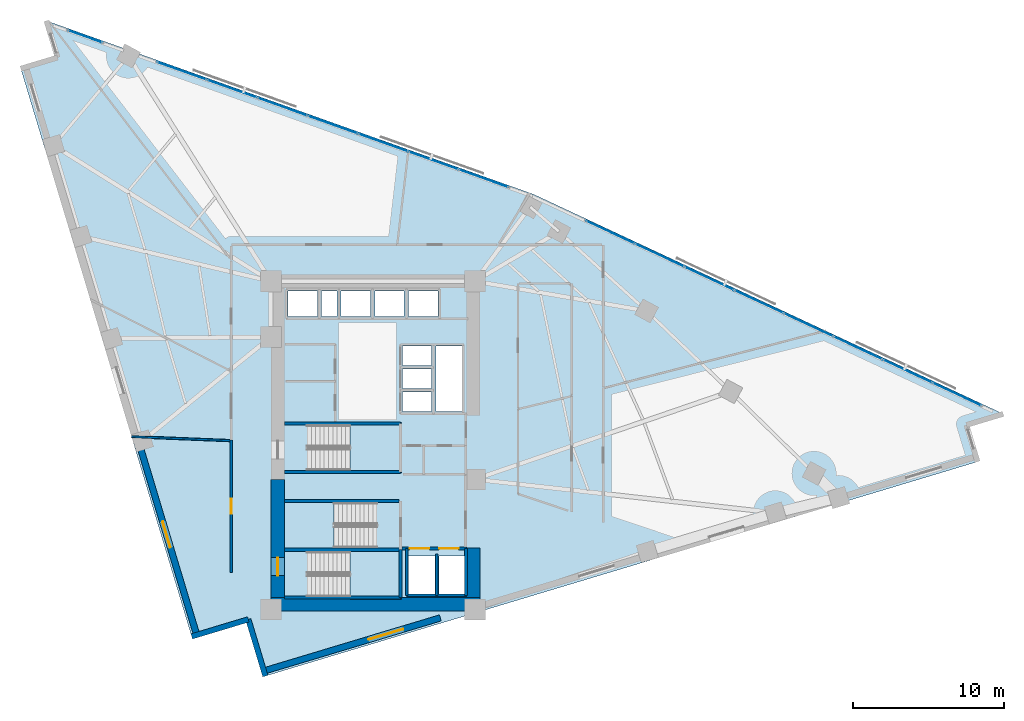
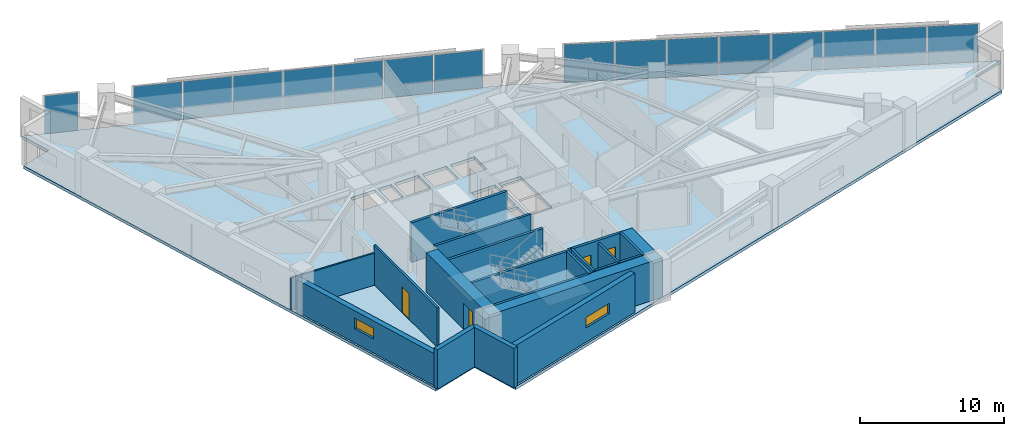
# One storey, part 9 of 16: 20 walls, 16 plates, 4 doors, 4 slabs, 2 windows, 6 openings, 6 elements without a shape of their own.
"""IFC4 building model written with IfcOpenShell, lengths in metres."""

from ifc_helpers import new_model, si_unit, direction, frame, frame_2d, origin, origin_2d, place, context, subcontext, project, spatial, polyline, rectangle, outline, extrude, material, layer, layer_set, type_object, element, fill, aggregate, save


model = new_model("IFC4")

# Units and contexts
model_context = context("Model", 3, precision=1e-05, world=origin(), true_north=direction((0.0, 1.0)))
body_context = subcontext(model_context, "Body", "Model", "MODEL_VIEW")
ifc_project = project(units=[si_unit("LENGTHUNIT", "METRE"), si_unit("AREAUNIT", "SQUARE_METRE"), si_unit("VOLUMEUNIT", "CUBIC_METRE"), si_unit("PLANEANGLEUNIT", "RADIAN"), si_unit("MASSUNIT", "GRAM", prefix="KILO")], contexts=[model_context])

# Site, building, storey
site_placement = place(None, origin())
site = spatial("IfcSite", under=ifc_project, at=site_placement, CompositionType="ELEMENT")
building_placement = place(site_placement, origin())
building = spatial("IfcBuilding", under=site, at=building_placement, Name="Narakoshi Arena Tower", CompositionType="ELEMENT")
storey_placement = place(building_placement, frame((0.0, 0.0, 150.300048828125)))
storey = spatial("IfcBuildingStorey", under=building, at=storey_placement, Name="L40", CompositionType="ELEMENT", Elevation=150.300048828125)

# Curtain wall, plates
ifc_material_1 = material(Name="Anodised bronze aluminium 6063-T6", Category="aluminium")
curtain_wall_type = type_object("IfcCurtainWallType", Name="CW-HYP-MID", PredefinedType="NOTDEFINED", material=ifc_material_1)
curtain_wall_1_placement = place(storey_placement, origin())
curtain_wall_1 = element("IfcCurtainWall", 1, at=curtain_wall_1_placement, inside=storey, type_object=curtain_wall_type, Name="L40 Folded Hypotenuse Curtain Wall 1-1", PredefinedType="NOTDEFINED")
ifc_material_2 = material(Name="Bronze-tinted low-E laminated glass", Category="glass")
ifc_layer_1 = layer(ifc_material_2, 0.0380859375)
ifc_layer_set_1 = layer_set([ifc_layer_1], Name="Bronze-tinted low-E laminated glass")
plate_type = type_object("IfcPlateType", Name="PLT-GLZ-38", PredefinedType="CURTAIN_PANEL", material=ifc_layer_set_1)
plate_1_placement = place(storey_placement, frame((117.545166015625, 49.0, 0.06494140625), z_axis=(0.0, 0.0, 1.0), x_axis=(-0.905881273009, 0.423531721612, 0.0)))
plate_1 = element("IfcPlate", 2, at=plate_1_placement, type_object=plate_type, Name="CW-02 panel 1.1", PredefinedType="CURTAIN_PANEL", context=body_context, shape_type="SweptSolid", body=[
    extrude(rectangle(XDim=3.52099609375, YDim=0.0380859375, at=origin_2d()), origin(), (0.0, 0.0, 1.0), 3.2099609375),
])
plate_2_placement = place(storey_placement, frame((114.270751953125, 50.531005859375, 0.06494140625), z_axis=(0.0, 0.0, 1.0), x_axis=(-0.905881273009, 0.423531721612, 0.0)))
plate_2 = element("IfcPlate", 3, at=plate_2_placement, type_object=plate_type, Name="CW-02 panel 2.1", PredefinedType="CURTAIN_PANEL", context=body_context, shape_type="SweptSolid", body=[
    extrude(rectangle(XDim=3.558349609375, YDim=0.0380859375, at=origin_2d()), origin(), (0.0, 0.0, 1.0), 3.2099609375),
])
plate_3_placement = place(storey_placement, frame((110.979248046875, 52.06982421875, 0.06494140625), z_axis=(0.0, 0.0, 1.0), x_axis=(-0.905881273009, 0.423531721612, 0.0)))
plate_3 = element("IfcPlate", 4, at=plate_3_placement, type_object=plate_type, Name="CW-02 panel 3.1", PredefinedType="CURTAIN_PANEL", context=body_context, shape_type="SweptSolid", body=[
    extrude(rectangle(XDim=3.558349609375, YDim=0.0380859375, at=origin_2d()), origin(), (0.0, 0.0, 1.0), 3.2099609375),
])
plate_4_placement = place(storey_placement, frame((107.687744140625, 53.60888671875, 0.06494140625), z_axis=(0.0, 0.0, 1.0), x_axis=(-0.905881273009, 0.423531721612, 0.0)))
plate_4 = element("IfcPlate", 5, at=plate_4_placement, type_object=plate_type, Name="CW-02 panel 4.1", PredefinedType="CURTAIN_PANEL", context=body_context, shape_type="SweptSolid", body=[
    extrude(rectangle(XDim=3.558349609375, YDim=0.0380859375, at=origin_2d()), origin(), (0.0, 0.0, 1.0), 3.2099609375),
])
plate_5_placement = place(storey_placement, frame((104.396240234375, 55.147705078125, 0.06494140625), z_axis=(0.0, 0.0, 1.0), x_axis=(-0.905881273009, 0.423531721612, 0.0)))
plate_5 = element("IfcPlate", 6, at=plate_5_placement, type_object=plate_type, Name="CW-02 panel 5.1", PredefinedType="CURTAIN_PANEL", context=body_context, shape_type="SweptSolid", body=[
    extrude(rectangle(XDim=3.558349609375, YDim=0.0380859375, at=origin_2d()), origin(), (0.0, 0.0, 1.0), 3.2099609375),
])
plate_6_placement = place(storey_placement, frame((101.104736328125, 56.6865234375, 0.06494140625), z_axis=(0.0, 0.0, 1.0), x_axis=(-0.905881273009, 0.423531721612, 0.0)))
plate_6 = element("IfcPlate", 7, at=plate_6_placement, type_object=plate_type, Name="CW-02 panel 6.1", PredefinedType="CURTAIN_PANEL", context=body_context, shape_type="SweptSolid", body=[
    extrude(rectangle(XDim=3.558349609375, YDim=0.0380859375, at=origin_2d()), origin(), (0.0, 0.0, 1.0), 3.2099609375),
])
plate_7_placement = place(storey_placement, frame((97.813232421875, 58.2255859375, 0.06494140625), z_axis=(0.0, 0.0, 1.0), x_axis=(-0.905881273009, 0.423531721612, 0.0)))
plate_7 = element("IfcPlate", 8, at=plate_7_placement, type_object=plate_type, Name="CW-02 panel 7.1", PredefinedType="CURTAIN_PANEL", context=body_context, shape_type="SweptSolid", body=[
    extrude(rectangle(XDim=3.558349609375, YDim=0.0380859375, at=origin_2d()), origin(), (0.0, 0.0, 1.0), 3.2099609375),
])
plate_8_placement = place(storey_placement, frame((94.538818359375, 59.75634765625, 0.06494140625), z_axis=(0.0, 0.0, 1.0), x_axis=(-0.905881273009, 0.423531721612, 0.0)))
plate_8 = element("IfcPlate", 9, at=plate_8_placement, type_object=plate_type, Name="CW-02 panel 8.1", PredefinedType="CURTAIN_PANEL", context=body_context, shape_type="SweptSolid", body=[
    extrude(rectangle(XDim=3.52099609375, YDim=0.0380859375, at=origin_2d()), origin(), (0.0, 0.0, 1.0), 3.2099609375),
])
aggregate(curtain_wall_1, [plate_1, plate_2, plate_3, plate_4, plate_5, plate_6, plate_7, plate_8])

curtain_wall_2_placement = place(storey_placement, origin())
curtain_wall_2 = element("IfcCurtainWall", 10, at=curtain_wall_2_placement, inside=storey, type_object=curtain_wall_type, Name="L40 Folded Hypotenuse Curtain Wall 2-1", PredefinedType="NOTDEFINED")
plate_9_placement = place(storey_placement, frame((86.125244140625, 63.327880859375, 0.06494140625), z_axis=(0.0, 0.0, 1.0), x_axis=(-0.94203368957, 0.335518297139, 0.0)))
plate_9 = element("IfcPlate", 11, at=plate_9_placement, type_object=plate_type, Name="CW-02 panel 1.1", PredefinedType="CURTAIN_PANEL", context=body_context, shape_type="SweptSolid", body=[
    extrude(rectangle(XDim=3.437744140625, YDim=0.0380859375, at=origin_2d()), origin(), (0.0, 0.0, 1.0), 3.2099609375),
])
plate_10_placement = place(storey_placement, frame((82.79833984375, 64.512939453125, 0.06494140625), z_axis=(0.0, 0.0, 1.0), x_axis=(-0.94203368957, 0.335518297139, 0.0)))
plate_10 = element("IfcPlate", 12, at=plate_10_placement, type_object=plate_type, Name="CW-02 panel 2.1", PredefinedType="CURTAIN_PANEL", context=body_context, shape_type="SweptSolid", body=[
    extrude(rectangle(XDim=3.475341796875, YDim=0.0380859375, at=origin_2d()), origin(), (0.0, 0.0, 1.0), 3.2099609375),
])
plate_11_placement = place(storey_placement, frame((79.453857421875, 65.7041015625, 0.06494140625), z_axis=(0.0, 0.0, 1.0), x_axis=(-0.94203368957, 0.335518297139, 0.0)))
plate_11 = element("IfcPlate", 13, at=plate_11_placement, type_object=plate_type, Name="CW-02 panel 3.1", PredefinedType="CURTAIN_PANEL", context=body_context, shape_type="SweptSolid", body=[
    extrude(rectangle(XDim=3.475341796875, YDim=0.0380859375, at=origin_2d()), origin(), (0.0, 0.0, 1.0), 3.2099609375),
])
plate_12_placement = place(storey_placement, frame((76.109130859375, 66.895263671875, 0.06494140625), z_axis=(0.0, 0.0, 1.0), x_axis=(-0.94203368957, 0.335518297139, 0.0)))
plate_12 = element("IfcPlate", 14, at=plate_12_placement, type_object=plate_type, Name="CW-02 panel 4.1", PredefinedType="CURTAIN_PANEL", context=body_context, shape_type="SweptSolid", body=[
    extrude(rectangle(XDim=3.475341796875, YDim=0.0380859375, at=origin_2d()), origin(), (0.0, 0.0, 1.0), 3.2099609375),
])
plate_13_placement = place(storey_placement, frame((72.7646484375, 68.08642578125, 0.06494140625), z_axis=(0.0, 0.0, 1.0), x_axis=(-0.94203368957, 0.335518297139, 0.0)))
plate_13 = element("IfcPlate", 15, at=plate_13_placement, type_object=plate_type, Name="CW-02 panel 5.1", PredefinedType="CURTAIN_PANEL", context=body_context, shape_type="SweptSolid", body=[
    extrude(rectangle(XDim=3.475341796875, YDim=0.0380859375, at=origin_2d()), origin(), (0.0, 0.0, 1.0), 3.2099609375),
])
plate_14_placement = place(storey_placement, frame((69.420166015625, 69.277587890625, 0.06494140625), z_axis=(0.0, 0.0, 1.0), x_axis=(-0.94203368957, 0.335518297139, 0.0)))
plate_14 = element("IfcPlate", 16, at=plate_14_placement, type_object=plate_type, Name="CW-02 panel 6.1", PredefinedType="CURTAIN_PANEL", context=body_context, shape_type="SweptSolid", body=[
    extrude(rectangle(XDim=3.475341796875, YDim=0.0380859375, at=origin_2d()), origin(), (0.0, 0.0, 1.0), 3.2099609375),
])
plate_15_placement = place(storey_placement, frame((66.09326171875, 70.462646484375, 0.06494140625), z_axis=(0.0, 0.0, 1.0), x_axis=(-0.94203368957, 0.335518297139, 0.0)))
plate_15 = element("IfcPlate", 17, at=plate_15_placement, type_object=plate_type, Name="CW-02 panel 7.1", PredefinedType="CURTAIN_PANEL", context=body_context, shape_type="SweptSolid", body=[
    extrude(rectangle(XDim=3.437744140625, YDim=0.0380859375, at=origin_2d()), origin(), (0.0, 0.0, 1.0), 3.2099609375),
])
aggregate(curtain_wall_2, [plate_9, plate_10, plate_11, plate_12, plate_13, plate_14, plate_15])

# Curtain wall, plate
curtain_wall_3_placement = place(storey_placement, origin())
curtain_wall_3 = element("IfcCurtainWall", 18, at=curtain_wall_3_placement, inside=storey, type_object=curtain_wall_type, Name="L40 Folded Hypotenuse Curtain Wall 2-2", PredefinedType="NOTDEFINED")
plate_16_placement = place(storey_placement, frame((59.671142578125, 72.75, 0.06494140625), z_axis=(0.0, 0.0, 1.0), x_axis=(-0.942025293591, 0.335541869571, 0.0)))
plate_16 = element("IfcPlate", 19, at=plate_16_placement, type_object=plate_type, Name="CW-02 panel 1.1", PredefinedType="CURTAIN_PANEL", context=body_context, shape_type="SweptSolid", body=[
    extrude(rectangle(XDim=2.3779296875, YDim=0.0380859375, at=origin_2d()), origin(), (0.0, 0.0, 1.0), 3.2099609375),
])
aggregate(curtain_wall_3, [plate_16])

# Stair, slab
ifc_material_3 = material(Name="Concrete C45/55", Category="concrete")
stair_type = type_object("IfcStairType", Name="STR-CORE-360", PredefinedType="TWO_STRAIGHT_RUN_STAIR", material=ifc_material_3)
stair_1_placement = place(storey_placement, origin())
stair_1 = element("IfcStair", 20, at=stair_1_placement, inside=storey, type_object=stair_type, Name="L40 Core Escape Stair ST1", PredefinedType="TWO_STRAIGHT_RUN_STAIR")
ifc_layer_2 = layer(ifc_material_3, 0.18994140625)
ifc_layer_set_2 = layer_set([ifc_layer_2], Name="Concrete C45/55")
slab_type_1 = type_object("IfcSlabType", Name="SLB-LND-190", PredefinedType="LANDING", material=ifc_layer_set_2)
slab_1_placement = place(storey_placement, frame((0.0, 0.0, 1.60986328125)))
slab_1 = element("IfcSlab", 21, at=slab_1_placement, type_object=slab_type_1, Name="ST1 landing 1", PredefinedType="LANDING", context=body_context, shape_type="SweptSolid", body=[
    extrude(outline(polyline([(77.25, 35.3701171875), (80.679931640625, 35.3701171875), (80.679931640625, 38.72998046875), (77.25, 38.72998046875), (77.25, 35.3701171875)])), origin(), (0.0, 0.0, 1.0), 0.190185546875),
])
aggregate(stair_1, [slab_1])

stair_2_placement = place(storey_placement, origin())
stair_2 = element("IfcStair", 22, at=stair_2_placement, inside=storey, type_object=stair_type, Name="L40 Core Escape Stair ST2", PredefinedType="TWO_STRAIGHT_RUN_STAIR")
slab_2_placement = place(storey_placement, frame((0.0, 0.0, 1.60986328125)))
slab_2 = element("IfcSlab", 23, at=slab_2_placement, type_object=slab_type_1, Name="ST2 landing 1", PredefinedType="LANDING", context=body_context, shape_type="SweptSolid", body=[
    extrude(outline(polyline([(72.77001953125, 38.6201171875), (76.199951171875, 38.6201171875), (76.199951171875, 41.97998046875), (72.77001953125, 41.97998046875), (72.77001953125, 38.6201171875)])), origin(), (0.0, 0.0, 1.0), 0.190185546875),
])
aggregate(stair_2, [slab_2])

stair_3_placement = place(storey_placement, origin())
stair_3 = element("IfcStair", 24, at=stair_3_placement, inside=storey, type_object=stair_type, Name="L40 Core Escape Stair ST3", PredefinedType="TWO_STRAIGHT_RUN_STAIR")
slab_3_placement = place(storey_placement, frame((0.0, 0.0, 1.60986328125)))
slab_3 = element("IfcSlab", 25, at=slab_3_placement, type_object=slab_type_1, Name="ST3 landing 1", PredefinedType="LANDING", context=body_context, shape_type="SweptSolid", body=[
    extrude(outline(polyline([(77.25, 43.77001953125), (80.679931640625, 43.77001953125), (80.679931640625, 47.1298828125), (77.25, 47.1298828125), (77.25, 43.77001953125)])), origin(), (0.0, 0.0, 1.0), 0.190185546875),
])
aggregate(stair_3, [slab_3])

# Slab
ifc_material_4 = material(Name="Concrete C50/60", Category="concrete")
ifc_layer_3 = layer(ifc_material_4, 0.260009765625)
ifc_layer_set_3 = layer_set([ifc_layer_3], Name="Concrete C50/60")
slab_type_2 = type_object("IfcSlabType", Name="SLB-SKY-260", PredefinedType="FLOOR", material=ifc_layer_set_3)
slab_4_placement = place(storey_placement, frame((0.0, 0.0, -0.260009765625)))
element("IfcSlab", 26, at=slab_4_placement, inside=storey, type_object=slab_type_2, Name="L40 Structural Floor Slab", PredefinedType="FLOOR", context=body_context, shape_type="SweptSolid", body=[
    extrude(outline(polyline([(71.635498046875, 30.28857421875), (118.908935546875, 44.51611328125), (118.17333984375, 46.96044921875), (120.61767578125, 47.696044921875), (89.422119140625, 62.281005859375), (57.107666015625, 73.790283203125), (57.84326171875, 71.34619140625), (55.39892578125, 70.610595703125), (66.743408203125, 32.917236328125), (70.50390625, 34.048828125), (71.635498046875, 30.28857421875)]), holes=[polyline([(80.5, 35.550048828125), (74.47998046875, 35.550048828125), (74.47998046875, 38.550048828125), (80.5, 38.550048828125), (80.5, 35.550048828125)]), polyline([(82.89990234375, 35.75), (81.14990234375, 35.75), (81.14990234375, 38.25), (82.89990234375, 38.25), (82.89990234375, 35.75)]), polyline([(83.14990234375, 35.75), (83.14990234375, 38.25), (84.89990234375, 38.25), (84.89990234375, 35.75), (83.14990234375, 35.75)]), polyline([(72.949951171875, 38.800048828125), (72.949951171875, 41.800048828125), (78.969970703125, 41.800048828125), (78.969970703125, 38.800048828125), (72.949951171875, 38.800048828125)]), polyline([(74.47998046875, 43.949951171875), (74.47998046875, 46.949951171875), (80.5, 46.949951171875), (80.5, 43.949951171875), (74.47998046875, 43.949951171875)]), polyline([(82.949951171875, 47.840087890625), (82.949951171875, 52.199951171875), (84.699951171875, 52.199951171875), (84.699951171875, 47.840087890625), (82.949951171875, 47.840087890625)]), polyline([(80.75, 47.85009765625), (80.75, 49.14990234375), (82.64990234375, 49.14990234375), (82.64990234375, 47.85009765625), (80.75, 47.85009765625)]), polyline([(80.75, 49.3701171875), (80.75, 50.669921875), (82.64990234375, 50.669921875), (82.64990234375, 49.3701171875), (80.75, 49.3701171875)]), polyline([(80.75, 50.889892578125), (80.75, 52.18994140625), (82.64990234375, 52.18994140625), (82.64990234375, 50.889892578125), (80.75, 50.889892578125)]), polyline([(73.14990234375, 54.14990234375), (73.14990234375, 55.85009765625), (75.10009765625, 55.85009765625), (75.10009765625, 54.14990234375), (73.14990234375, 54.14990234375)]), polyline([(75.35009765625, 54.14990234375), (75.35009765625, 55.85009765625), (76.39990234375, 55.85009765625), (76.39990234375, 54.14990234375), (75.35009765625, 54.14990234375)]), polyline([(76.64990234375, 54.14990234375), (76.64990234375, 55.85009765625), (78.60009765625, 55.85009765625), (78.60009765625, 54.14990234375), (76.64990234375, 54.14990234375)]), polyline([(78.89990234375, 54.14990234375), (78.89990234375, 55.85009765625), (80.85009765625, 55.85009765625), (80.85009765625, 54.14990234375), (78.89990234375, 54.14990234375)]), polyline([(81.14990234375, 54.14990234375), (81.14990234375, 55.85009765625), (83.10009765625, 55.85009765625), (83.10009765625, 54.14990234375), (81.14990234375, 54.14990234375)])]), origin(), (0.0, 0.0, 1.0), 0.260009765625),
])

# Wall, opening, door
ifc_material_5 = material(Name="Concrete C60/75", Category="concrete")
ifc_layer_4 = layer(ifc_material_5, 0.89990234375)
ifc_layer_set_4 = layer_set([ifc_layer_4], Name="Concrete C60/75")
wall_type_1 = type_object("IfcWallType", Name="WL-CORE-900", PredefinedType="SHEAR", material=ifc_layer_set_4)
wall_1_placement = place(storey_placement, frame((72.449951171875, 35.5, -0.260009765625), z_axis=(0.0, 0.0, 1.0), x_axis=(0.0, 1.0, 0.0)))
wall_1 = element("IfcWall", 27, at=wall_1_placement, inside=storey, type_object=wall_type_1, Name="L40 Central Core Shear Wall CW-APX-W", PredefinedType="SHEAR", context=body_context, shape_type="SweptSolid", body=[
    extrude(rectangle(XDim=7.85009765625, YDim=0.89990234375, at=frame_2d((3.925048828125, 0.0))), origin(), (0.0, 0.0, 1.0), 3.599853515625),
])
opening_1_placement = place(wall_1_placement, frame((1.449951171875, 0.0, 0.260009765625)))
opening_1 = element("IfcOpeningElement", 28, at=opening_1_placement, cuts=wall_1, Name="Opening D-03", PredefinedType="OPENING", context=body_context, shape_type="SweptSolid", body=[
    extrude(rectangle(XDim=1.199951171875, YDim=2.199951171875, at=frame_2d((0.60009765625, 1.10009765625))), frame((0.0, 0.4599609375, 0.0), z_axis=(0.0, -1.0, 0.0), x_axis=(1.0, 0.0, 0.0)), (0.0, 0.0, 1.0), 0.919921875),
])
ifc_material_6 = material(Name="Painted galvanized steel", Category="steel")
door_type_1 = type_object("IfcDoorType", Name="DR-STR-1200", OperationType="NOTDEFINED", PredefinedType="USERDEFINED", material=ifc_material_6)
door_1_placement = place(opening_1_placement, frame((1.199951171875, 0.0, 0.0), z_axis=(0.0, 0.0, 1.0), x_axis=(-1.0, 0.0, 0.0)))
door_1 = element("IfcDoor", 29, at=door_1_placement, inside=storey, type_object=door_type_1, Name="DR-L40-001", ObjectType="EXITDOOR", OperationType="SINGLE_SWING_LEFT", OverallHeight=2.199951171875, OverallWidth=1.199951171875, PredefinedType="USERDEFINED", context=body_context, shape_type="SweptSolid", body=[
    extrude(rectangle(XDim=1.199951171875, YDim=2.199951171875, at=frame_2d((0.60009765625, 1.10009765625))), frame((0.0, 0.02490234375, 0.0), z_axis=(0.0, -1.0, 0.0), x_axis=(1.0, 0.0, 0.0)), (0.0, 0.0, 1.0), 0.050048828125),
])
fill(opening_1, door_1)

# Walls
wall_2_placement = place(storey_placement, frame((72.0, 35.050048828125, -0.260009765625), z_axis=(0.0, 0.0, 1.0), x_axis=(1.0, 0.0, 0.0)))
element("IfcWall", 30, at=wall_2_placement, inside=storey, type_object=wall_type_1, Name="L40 Central Core Shear Wall CW-APX-S", PredefinedType="SHEAR", context=body_context, shape_type="SweptSolid", body=[
    extrude(rectangle(XDim=13.89990234375, YDim=0.89990234375, at=frame_2d((6.949951171875, 0.0))), origin(), (0.0, 0.0, 1.0), 3.599853515625),
])
wall_3_placement = place(storey_placement, frame((85.449951171875, 35.5, -0.260009765625), z_axis=(0.0, 0.0, 1.0), x_axis=(0.0, 1.0, 0.0)))
element("IfcWall", 31, at=wall_3_placement, inside=storey, type_object=wall_type_1, Name="L40 Central Core Shear Wall CW-APX-E", PredefinedType="SHEAR", context=body_context, shape_type="SweptSolid", body=[
    extrude(rectangle(XDim=3.300048828125, YDim=0.89990234375, at=frame_2d((1.64990234375, 0.0))), origin(), (0.0, 0.0, 1.0), 3.599853515625),
])

# Wall, opening, door
ifc_material_7 = material(Name="Gypsum plasterboard fire-rated partition")
ifc_layer_5 = layer(ifc_material_7, 0.1650390625)
ifc_layer_set_5 = layer_set([ifc_layer_5], Name="Gypsum plasterboard fire-rated partition")
wall_type_2 = type_object("IfcWallType", Name="WL-CORR-165", PredefinedType="PARTITIONING", material=ifc_layer_set_5)
wall_4_placement = place(storey_placement, frame((69.376220703125, 45.952392578125, 0.0), z_axis=(0.0, 0.0, 1.0), x_axis=(0.0, -1.0, 0.0)))
wall_4 = element("IfcWall", 32, at=wall_4_placement, inside=storey, type_object=wall_type_2, Name="L40 Corridor Partition 01-1", PredefinedType="PARTITIONING", context=body_context, shape_type="SweptSolid", body=[
    extrude(rectangle(XDim=8.7958984375, YDim=0.1650390625, at=frame_2d((4.39794921875, 0.0))), origin(), (0.0, 0.0, 1.0), 3.33984375),
])
opening_2_placement = place(wall_4_placement, frame((3.89794921875, 0.0, 0.0)))
opening_2 = element("IfcOpeningElement", 33, at=opening_2_placement, cuts=wall_4, Name="Opening D-06", PredefinedType="OPENING", context=body_context, shape_type="SweptSolid", body=[
    extrude(rectangle(XDim=1.0, YDim=2.199951171875, at=frame_2d((0.5, 1.10009765625))), frame((0.0, 0.092529296875, 0.0), z_axis=(0.0, -1.0, 0.0), x_axis=(1.0, 0.0, 0.0)), (0.0, 0.0, 1.0), 0.18505859375),
])
ifc_material_8 = material(Name="Stained oak solid-core timber", Category="wood")
door_type_2 = type_object("IfcDoorType", Name="DR-OFF-1000", OperationType="NOTDEFINED", PredefinedType="DOOR", material=ifc_material_8)
door_2_placement = place(opening_2_placement, frame((1.0, 0.0, 0.0), z_axis=(0.0, 0.0, 1.0), x_axis=(-1.0, 0.0, 0.0)))
door_2 = element("IfcDoor", 34, at=door_2_placement, inside=storey, type_object=door_type_2, Name="DR-L40-015", OperationType="SINGLE_SWING_RIGHT", OverallHeight=2.199951171875, OverallWidth=1.0, PredefinedType="DOOR", context=body_context, shape_type="SweptSolid", body=[
    extrude(rectangle(XDim=1.0, YDim=2.199951171875, at=frame_2d((0.5, 1.10009765625))), frame((0.0, 0.02490234375, 0.0), z_axis=(0.0, -1.0, 0.0), x_axis=(1.0, 0.0, 0.0)), (0.0, 0.0, 1.0), 0.050048828125),
])
fill(opening_2, door_2)

# Wall
ifc_layer_6 = layer(ifc_material_7, 0.125)
ifc_layer_set_6 = layer_set([ifc_layer_6], Name="Gypsum plasterboard fire-rated partition")
wall_type_3 = type_object("IfcWallType", Name="WL-PART-125", PredefinedType="PARTITIONING", material=ifc_layer_set_6)
wall_5_placement = place(storey_placement, frame((62.7509765625, 46.182373046875, 0.0), z_axis=(0.0, 0.0, 1.0), x_axis=(0.99919498064, -0.040117211559, 0.0)))
element("IfcWall", 35, at=wall_5_placement, inside=storey, type_object=wall_type_3, Name="L40 Inter-Room Partition 01-09", PredefinedType="PARTITIONING", context=body_context, shape_type="SweptSolid", body=[
    extrude(rectangle(XDim=6.5361328125, YDim=0.125, at=frame_2d((3.26806640625, 0.0))), origin(), (0.0, 0.0, 1.0), 2.724853515625),
])

# Wall, opening, window
ifc_material_9 = material(Name="Precast concrete C45/55", Category="concrete")
ifc_layer_7 = layer(ifc_material_9, 0.419921875)
ifc_layer_set_7 = layer_set([ifc_layer_7], Name="Precast concrete C45/55")
wall_type_4 = type_object("IfcWallType", Name="WL-POD-420", PredefinedType="SOLIDWALL", material=ifc_layer_set_7)
wall_6_placement = place(storey_placement, frame((71.53466796875, 30.62353515625, 0.0), z_axis=(0.0, 0.0, 1.0), x_axis=(0.957571099539, 0.288197136226, 0.0)))
wall_6 = element("IfcWall", 36, at=wall_6_placement, inside=storey, type_object=wall_type_4, Name="L40 Architectural Concrete Facade Wall LEGA-1", PredefinedType="SOLIDWALL", context=body_context, shape_type="SweptSolid", body=[
    extrude(rectangle(XDim=12.23583984375, YDim=0.419921875, at=frame_2d((6.117919921875, 0.0))), origin(), (0.0, 0.0, 1.0), 3.33984375),
])
opening_3_placement = place(wall_6_placement, frame((7.263916015625, 0.0, 1.199951171875)))
opening_3 = element("IfcOpeningElement", 37, at=opening_3_placement, cuts=wall_6, Name="Opening WN-01", PredefinedType="OPENING", context=body_context, shape_type="SweptSolid", body=[
    extrude(rectangle(XDim=2.39990234375, YDim=0.89990234375, at=frame_2d((1.199951171875, 0.449951171875))), frame((0.0, 0.219970703125, 0.0), z_axis=(0.0, -1.0, 0.0), x_axis=(1.0, 0.0, 0.0)), (0.0, 0.0, 1.0), 0.43994140625),
])
window_type_1 = type_object("IfcWindowType", Name="WIN-SLT-24x09", PartitioningType="SINGLE_PANEL", PredefinedType="WINDOW", material=ifc_material_2)
window_1_placement = place(opening_3_placement, origin())
window_1 = element("IfcWindow", 38, at=window_1_placement, inside=storey, type_object=window_type_1, Name="L40 LEGA1 Horizontal Slot Window 1", OverallHeight=0.89990234375, OverallWidth=2.39990234375, PartitioningType="SINGLE_PANEL", PredefinedType="WINDOW", context=body_context, shape_type="SweptSolid", body=[
    extrude(rectangle(XDim=2.39990234375, YDim=0.89990234375, at=frame_2d((1.199951171875, 0.449951171875))), frame((0.0, 0.030029296875, 0.0), z_axis=(0.0, -1.0, 0.0), x_axis=(1.0, 0.0, 0.0)), (0.0, 0.0, 1.0), 0.06005859375),
])
fill(opening_3, window_1)

wall_7_placement = place(storey_placement, frame((63.221435546875, 45.833740234375, 0.0), z_axis=(0.0, 0.0, 1.0), x_axis=(0.288202962273, -0.957569346072, 0.0)))
wall_7 = element("IfcWall", 39, at=wall_7_placement, inside=storey, type_object=wall_type_4, Name="L40 Architectural Concrete Facade Wall LEGB-3", PredefinedType="SOLIDWALL", context=body_context, shape_type="SweptSolid", body=[
    extrude(rectangle(XDim=13.383544921875, YDim=0.419921875, at=frame_2d((6.69189453125, 0.0))), origin(), (0.0, 0.0, 1.0), 2.724853515625),
])
opening_4_placement = place(wall_7_placement, frame((5.5166015625, 0.0, 1.199951171875)))
opening_4 = element("IfcOpeningElement", 40, at=opening_4_placement, cuts=wall_7, Name="Opening WN-02", PredefinedType="OPENING", context=body_context, shape_type="SweptSolid", body=[
    extrude(rectangle(XDim=1.800048828125, YDim=0.89990234375, at=frame_2d((0.89990234375, 0.449951171875))), frame((0.0, 0.219970703125, 0.0), z_axis=(0.0, -1.0, 0.0), x_axis=(1.0, 0.0, 0.0)), (0.0, 0.0, 1.0), 0.43994140625),
])
window_type_2 = type_object("IfcWindowType", Name="WIN-SLT-18x09", PartitioningType="SINGLE_PANEL", PredefinedType="WINDOW", material=ifc_material_2)
window_2_placement = place(opening_4_placement, origin())
window_2 = element("IfcWindow", 41, at=window_2_placement, inside=storey, type_object=window_type_2, Name="L40 LEGB3 Horizontal Slot Window 1", OverallHeight=0.89990234375, OverallWidth=1.800048828125, PartitioningType="SINGLE_PANEL", PredefinedType="WINDOW", context=body_context, shape_type="SweptSolid", body=[
    extrude(rectangle(XDim=1.800048828125, YDim=0.89990234375, at=frame_2d((0.89990234375, 0.449951171875))), frame((0.0, 0.030029296875, 0.0), z_axis=(0.0, -1.0, 0.0), x_axis=(1.0, 0.0, 0.0)), (0.0, 0.0, 1.0), 0.06005859375),
])
fill(opening_4, window_2)

# Walls
wall_8_placement = place(storey_placement, frame((66.743408203125, 32.917236328125, 0.0), z_axis=(0.0, 0.0, 1.0), x_axis=(0.957584687378, 0.288151985068, 0.0)))
element("IfcWall", 42, at=wall_8_placement, inside=storey, type_object=wall_type_4, Name="L40 Re-Entrant Corner Notch Wall NTA-1", PredefinedType="SOLIDWALL", context=body_context, shape_type="SweptSolid", body=[
    extrude(rectangle(XDim=3.927001953125, YDim=0.360107421875, at=frame_2d((1.96337890625, 0.0))), origin(), (0.0, 0.0, 1.0), 3.33984375),
])
wall_9_placement = place(storey_placement, frame((70.50390625, 34.048828125, 0.0), z_axis=(0.0, 0.0, 1.0), x_axis=(0.288169140251, -0.957579524952, 0.0)))
element("IfcWall", 43, at=wall_9_placement, inside=storey, type_object=wall_type_4, Name="L40 Re-Entrant Corner Notch Wall NTA-2", PredefinedType="SOLIDWALL", context=body_context, shape_type="SweptSolid", body=[
    extrude(rectangle(XDim=3.9267578125, YDim=0.360107421875, at=frame_2d((1.96337890625, 0.0))), origin(), (0.0, 0.0, 1.0), 3.33984375),
])
ifc_material_10 = material(Name="Concrete C40/50", Category="concrete")
ifc_layer_8 = layer(ifc_material_10, 0.280029296875)
ifc_layer_set_8 = layer_set([ifc_layer_8], Name="Concrete C40/50")
wall_type_5 = type_object("IfcWallType", Name="WL-RISER-280", PredefinedType="PLUMBINGWALL", material=ifc_layer_set_8)
wall_10_placement = place(storey_placement, frame((83.0, 35.64990234375, 0.0), z_axis=(0.0, 0.0, 1.0), x_axis=(0.0, 1.0, 0.0)))
element("IfcWall", 44, at=wall_10_placement, inside=storey, type_object=wall_type_5, Name="L40 Core Wall FF-DIV", PredefinedType="PLUMBINGWALL", context=body_context, shape_type="SweptSolid", body=[
    extrude(rectangle(XDim=2.75, YDim=0.159912109375, at=frame_2d((1.375, 0.0))), origin(), (0.0, 0.0, 1.0), 3.33984375),
])
ifc_layer_9 = layer(ifc_material_4, 0.35009765625)
ifc_layer_set_9 = layer_set([ifc_layer_9], Name="Concrete C50/60")
wall_type_6 = type_object("IfcWallType", Name="WL-SHAFT-350", PredefinedType="SOLIDWALL", material=ifc_layer_set_9)
for number, where, z_axis, x_axis, name in (
    (45, (72.919921875, 35.52001953125, -0.260009765625), (0.0, 0.0, 1.0), (1.0, 0.0, 0.0), "L40 Core Wall ST1-S"),
    (46, (72.919921875, 38.675048828125, -0.260009765625), (0.0, 0.0, 1.0), (1.0, 0.0, 0.0), "L40 Core Wall ST12-DIV"),
):
    element("IfcWall", number, at=place(storey_placement, frame(where, z_axis=z_axis, x_axis=x_axis)), inside=storey, type_object=wall_type_6, Name=name, PredefinedType="SOLIDWALL", context=body_context, shape_type="SweptSolid", body=[
        extrude(rectangle(XDim=7.7001953125, YDim=0.199951171875, at=frame_2d((3.85009765625, 0.0))), origin(), (0.0, 0.0, 1.0), 3.599853515625),
    ])
wall_11_placement = place(storey_placement, frame((80.6201171875, 35.52001953125, -0.260009765625), z_axis=(0.0, 0.0, 1.0), x_axis=(0.0, 1.0, 0.0)))
element("IfcWall", 47, at=wall_11_placement, inside=storey, type_object=wall_type_6, Name="L40 Core Wall ST1-E", PredefinedType="SOLIDWALL", context=body_context, shape_type="SweptSolid", body=[
    extrude(rectangle(XDim=3.155029296875, YDim=0.199951171875, at=frame_2d((1.57763671875, 0.0))), origin(), (0.0, 0.0, 1.0), 3.599853515625),
])

# Wall, openings, doors
wall_12_placement = place(storey_placement, frame((80.719970703125, 38.75, 0.0), z_axis=(0.0, 0.0, 1.0), x_axis=(1.0, 0.0, 0.0)))
wall_12 = element("IfcWall", 48, at=wall_12_placement, inside=storey, type_object=wall_type_6, Name="L40 Core Wall FF-N", PredefinedType="SOLIDWALL", context=body_context, shape_type="SweptSolid", body=[
    extrude(rectangle(XDim=4.260009765625, YDim=0.199951171875, at=frame_2d((2.1298828125, 0.0))), origin(), (0.0, 0.0, 1.0), 3.33984375),
])
opening_5_placement = place(wall_12_placement, frame((0.5, 0.0, 0.0)))
opening_5 = element("IfcOpeningElement", 49, at=opening_5_placement, cuts=wall_12, Name="Opening LD-02", PredefinedType="OPENING", context=body_context, shape_type="SweptSolid", body=[
    extrude(rectangle(XDim=1.300048828125, YDim=2.300048828125, at=frame_2d((0.64990234375, 1.14990234375))), frame((0.0, 0.10986328125, 0.0), z_axis=(0.0, -1.0, 0.0), x_axis=(1.0, 0.0, 0.0)), (0.0, 0.0, 1.0), 0.219970703125),
])
opening_6_placement = place(wall_12_placement, frame((2.449951171875, 0.0, 0.0)))
opening_6 = element("IfcOpeningElement", 50, at=opening_6_placement, cuts=wall_12, Name="Opening LD-02", PredefinedType="OPENING", context=body_context, shape_type="SweptSolid", body=[
    extrude(rectangle(XDim=1.300048828125, YDim=2.300048828125, at=frame_2d((0.64990234375, 1.14990234375))), frame((0.0, 0.10986328125, 0.0), z_axis=(0.0, -1.0, 0.0), x_axis=(1.0, 0.0, 0.0)), (0.0, 0.0, 1.0), 0.219970703125),
])
ifc_material_11 = material(Name="Brushed bronze stainless steel", Category="steel")
door_type_3 = type_object("IfcDoorType", Name="DR-LFT-1300", OperationType="DOUBLE_DOOR_SLIDING", PredefinedType="DOOR", material=ifc_material_11)
door_3_placement = place(opening_5_placement, origin())
door_3 = element("IfcDoor", 51, at=door_3_placement, inside=storey, type_object=door_type_3, Name="DR-L40-003", OperationType="DOUBLE_DOOR_SLIDING", OverallHeight=2.300048828125, OverallWidth=1.300048828125, PredefinedType="DOOR", context=body_context, shape_type="SweptSolid", body=[
    extrude(rectangle(XDim=1.300048828125, YDim=2.300048828125, at=frame_2d((0.64990234375, 1.14990234375))), frame((0.0, 0.02490234375, 0.0), z_axis=(0.0, -1.0, 0.0), x_axis=(1.0, 0.0, 0.0)), (0.0, 0.0, 1.0), 0.050048828125),
])
fill(opening_5, door_3)
door_4_placement = place(opening_6_placement, origin())
door_4 = element("IfcDoor", 52, at=door_4_placement, inside=storey, type_object=door_type_3, Name="DR-L40-004", OperationType="DOUBLE_DOOR_SLIDING", OverallHeight=2.300048828125, OverallWidth=1.300048828125, PredefinedType="DOOR", context=body_context, shape_type="SweptSolid", body=[
    extrude(rectangle(XDim=1.300048828125, YDim=2.300048828125, at=frame_2d((0.64990234375, 1.14990234375))), frame((0.0, 0.02490234375, 0.0), z_axis=(0.0, -1.0, 0.0), x_axis=(1.0, 0.0, 0.0)), (0.0, 0.0, 1.0), 0.050048828125),
])
fill(opening_6, door_4)

# Walls
for number, where, z_axis, x_axis, name in (
    (53, (84.949951171875, 35.64990234375, 0.0), (0.0, 0.0, 1.0), (0.0, 1.0, 0.0), "L40 Core Wall FF-E"),
    (54, (81.02001953125, 35.64990234375, 0.0), (0.0, 0.0, 1.0), (0.0, 1.0, 0.0), "L40 Core Wall FF-W"),
):
    element("IfcWall", number, at=place(storey_placement, frame(where, z_axis=z_axis, x_axis=x_axis)), inside=storey, type_object=wall_type_6, Name=name, PredefinedType="SOLIDWALL", context=body_context, shape_type="SweptSolid", body=[
        extrude(rectangle(XDim=3.10009765625, YDim=0.179931640625, at=frame_2d((1.550048828125, 0.0))), origin(), (0.0, 0.0, 1.0), 3.33984375),
    ])
wall_13_placement = place(storey_placement, frame((81.02001953125, 35.64990234375, 0.0), z_axis=(0.0, 0.0, 1.0), x_axis=(1.0, 0.0, 0.0)))
element("IfcWall", 55, at=wall_13_placement, inside=storey, type_object=wall_type_6, Name="L40 Core Wall FF-S", PredefinedType="SOLIDWALL", context=body_context, shape_type="SweptSolid", body=[
    extrude(rectangle(XDim=3.929931640625, YDim=0.179931640625, at=frame_2d((1.96484375, 0.0))), origin(), (0.0, 0.0, 1.0), 3.33984375),
])
wall_14_placement = place(storey_placement, frame((72.919921875, 41.919921875, -0.260009765625), z_axis=(0.0, 0.0, 1.0), x_axis=(1.0, 0.0, 0.0)))
element("IfcWall", 56, at=wall_14_placement, inside=storey, type_object=wall_type_6, Name="L40 Core Wall ST2-N", PredefinedType="SOLIDWALL", context=body_context, shape_type="SweptSolid", body=[
    extrude(rectangle(XDim=7.580078125, YDim=0.199951171875, at=frame_2d((3.7900390625, 0.0))), origin(), (0.0, 0.0, 1.0), 3.599853515625),
])
for number, where, z_axis, x_axis, name in (
    (57, (72.919921875, 43.830078125, -0.260009765625), (0.0, 0.0, 1.0), (1.0, 0.0, 0.0), "L40 Core Wall ST3-S"),
    (58, (72.919921875, 47.070068359375, -0.260009765625), (0.0, 0.0, 1.0), (1.0, 0.0, 0.0), "L40 Core Wall ST3-N"),
):
    element("IfcWall", number, at=place(storey_placement, frame(where, z_axis=z_axis, x_axis=x_axis)), inside=storey, type_object=wall_type_6, Name=name, PredefinedType="SOLIDWALL", context=body_context, shape_type="SweptSolid", body=[
        extrude(rectangle(XDim=7.7001953125, YDim=0.199951171875, at=frame_2d((3.85009765625, 0.0))), origin(), (0.0, 0.0, 1.0), 3.599853515625),
    ])

save(model, "model.ifc")
